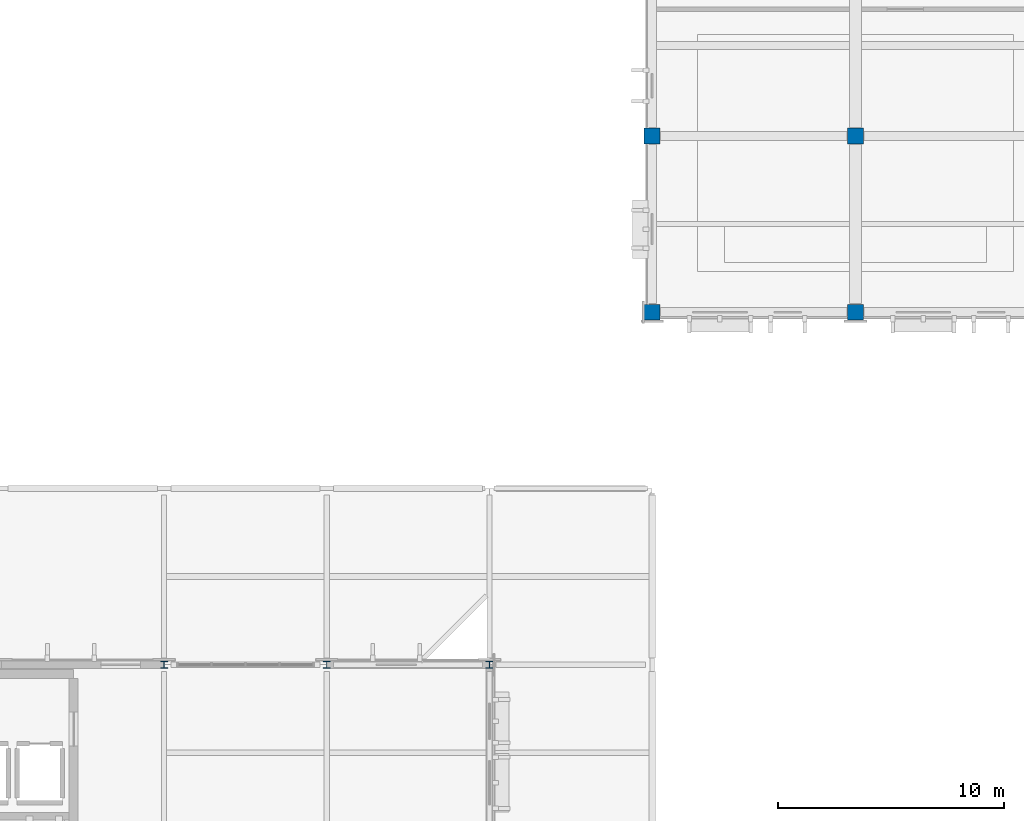
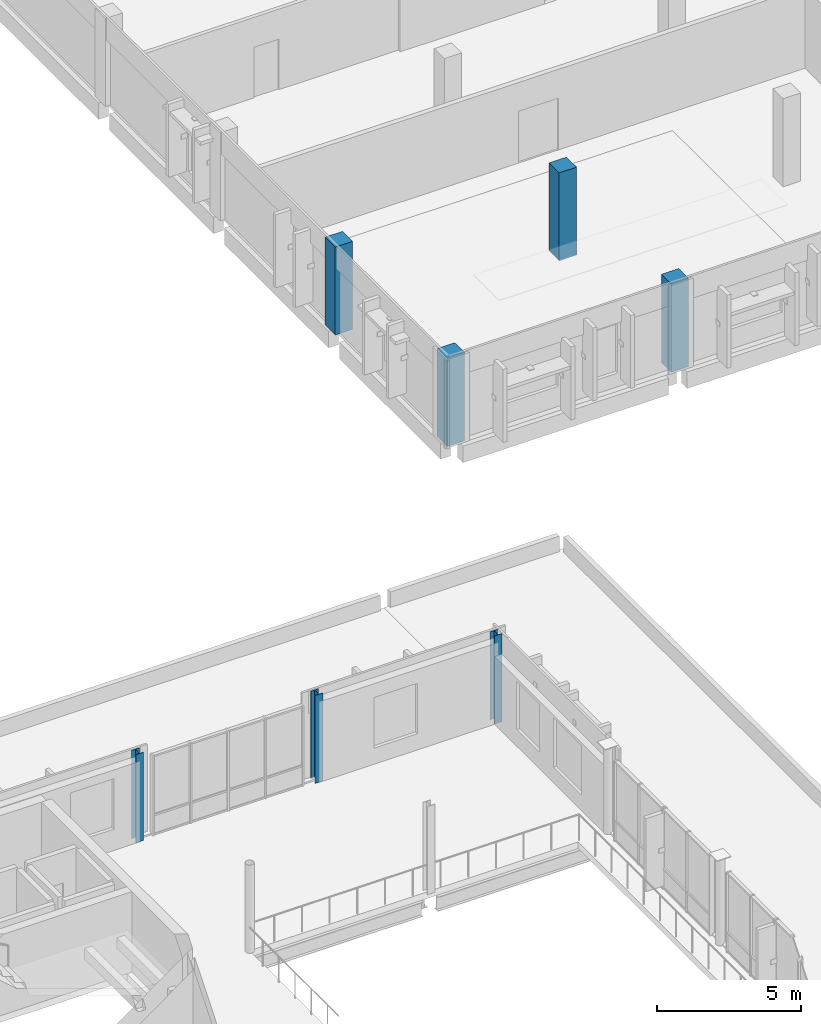
# One storey, part 4 of 73: 7 columns.
"""IFC4 building model written with IfcOpenShell, lengths in metres."""

from ifc_helpers import new_model, si_unit, direction, frame, origin, origin_2d, place, context, subcontext, project, spatial, rectangle, i_section, extrude, material, material_profile, profile_set, type_object, element, save


model = new_model("IFC4")

# Units and contexts
model_context = context("Model", 3, precision=1e-05, world=origin(), true_north=direction((0.0, 1.0)))
body_context = subcontext(model_context, "Body", "Model", "MODEL_VIEW")
ifc_project = project(units=[si_unit("LENGTHUNIT", "METRE"), si_unit("AREAUNIT", "SQUARE_METRE"), si_unit("VOLUMEUNIT", "CUBIC_METRE"), si_unit("PLANEANGLEUNIT", "RADIAN"), si_unit("MASSUNIT", "GRAM", prefix="KILO")], contexts=[model_context])

# Site, building, storey
site_placement = place(None, origin())
site = spatial("IfcSite", under=ifc_project, at=site_placement, CompositionType="ELEMENT")
building_placement = place(site_placement, origin())
building = spatial("IfcBuilding", under=site, at=building_placement, Name="Vervanel Yard Central Library", CompositionType="ELEMENT")
storey_placement = place(building_placement, frame((0.0, 0.0, 12.780029296875)))
storey = spatial("IfcBuildingStorey", under=building, at=storey_placement, Name="L03", CompositionType="ELEMENT", Elevation=12.780029296875)

# Columns
ifc_material_1 = material(Name="Concrete C40/50", Category="concrete")
ifc_material_profile_1 = material_profile(ifc_material_1, rectangle(XDim=0.699951171875, YDim=0.699951171875, at=origin_2d()), Name="RC 700x700", Category="concrete")
ifc_profile_set_1 = profile_set([ifc_material_profile_1], Name="Concrete C40/50")
column_type_1 = type_object("IfcColumnType", Name="Concrete Column 700x700", PredefinedType="COLUMN", material=ifc_profile_set_1)
for number, where, z_axis, x_axis, name in (
    (1, (36.0, 82.199951171875, 0.0), (0.0, 0.0, 1.0), (1.0, 0.0, 0.0), "L03 Concrete Column 700x700 (36.0, 82.2)"),
    (2, (36.0, 90.0, 0.0), (0.0, 0.0, 1.0), (1.0, 0.0, 0.0), "L03 Concrete Column 700x700 (36.0, 90.0)"),
    (3, (45.0, 82.199951171875, 0.0), (0.0, 0.0, 1.0), (1.0, 0.0, 0.0), "L03 Concrete Column 700x700 (45.0, 82.2)"),
    (4, (45.0, 90.0, 0.0), (0.0, 0.0, 1.0), (1.0, 0.0, 0.0), "L03 Concrete Column 700x700 (45.0, 90.0)"),
):
    element("IfcColumn", number, at=place(storey_placement, frame(where, z_axis=z_axis, x_axis=x_axis)), inside=storey, type_object=column_type_1, Name=name, PredefinedType="COLUMN", context=body_context, shape_type="SweptSolid", body=[
        extrude(rectangle(XDim=0.699951171875, YDim=0.699951171875, at=origin_2d()), origin(), (0.0, 0.0, 1.0), 3.739990234375),
    ])
ifc_material_2 = material(Name="Steel ASTM A992 Grade 50", Category="steel")
ifc_material_profile_2 = material_profile(ifc_material_2, i_section(OverallWidth=0.307373046875, OverallDepth=0.31494140625, WebThickness=0.011962890625, FlangeThickness=0.0185546875, at=origin_2d()), Name="W12X79", Category="steel")
ifc_profile_set_2 = profile_set([ifc_material_profile_2], Name="Steel ASTM A992 Grade 50")
column_type_2 = type_object("IfcColumnType", Name="Steel Column W12X79", PredefinedType="COLUMN", material=ifc_profile_set_2)
for number, where, z_axis, x_axis, name in (
    (5, (14.39990234375, 66.60009765625, 0.0), (0.0, 0.0, 1.0), (1.0, 0.0, 0.0), "L03 Steel Column W12X79 (14.4, 66.6)"),
    (6, (21.60009765625, 66.60009765625, 0.0), (0.0, 0.0, 1.0), (1.0, 0.0, 0.0), "L03 Steel Column W12X79 (21.6, 66.6)"),
    (7, (28.800048828125, 66.60009765625, 0.0), (0.0, 0.0, 1.0), (1.0, 0.0, 0.0), "L03 Steel Column W12X79 (28.8, 66.6)"),
):
    element("IfcColumn", number, at=place(storey_placement, frame(where, z_axis=z_axis, x_axis=x_axis)), inside=storey, type_object=column_type_2, Name=name, PredefinedType="COLUMN", context=body_context, shape_type="SweptSolid", body=[
        extrude(i_section(OverallWidth=0.307373046875, OverallDepth=0.31494140625, WebThickness=0.011962890625, FlangeThickness=0.0185546875, at=origin_2d()), origin(), (0.0, 0.0, 1.0), 3.739990234375),
    ])

save(model, "model.ifc")
